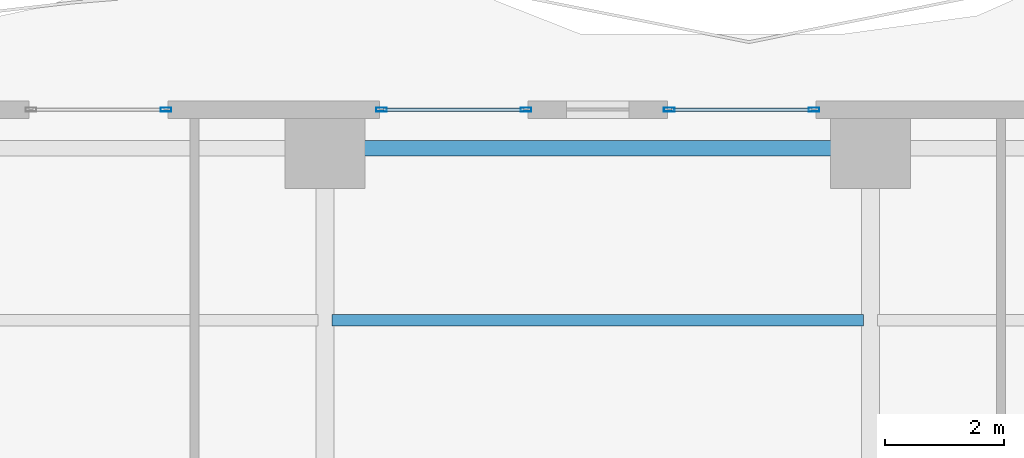
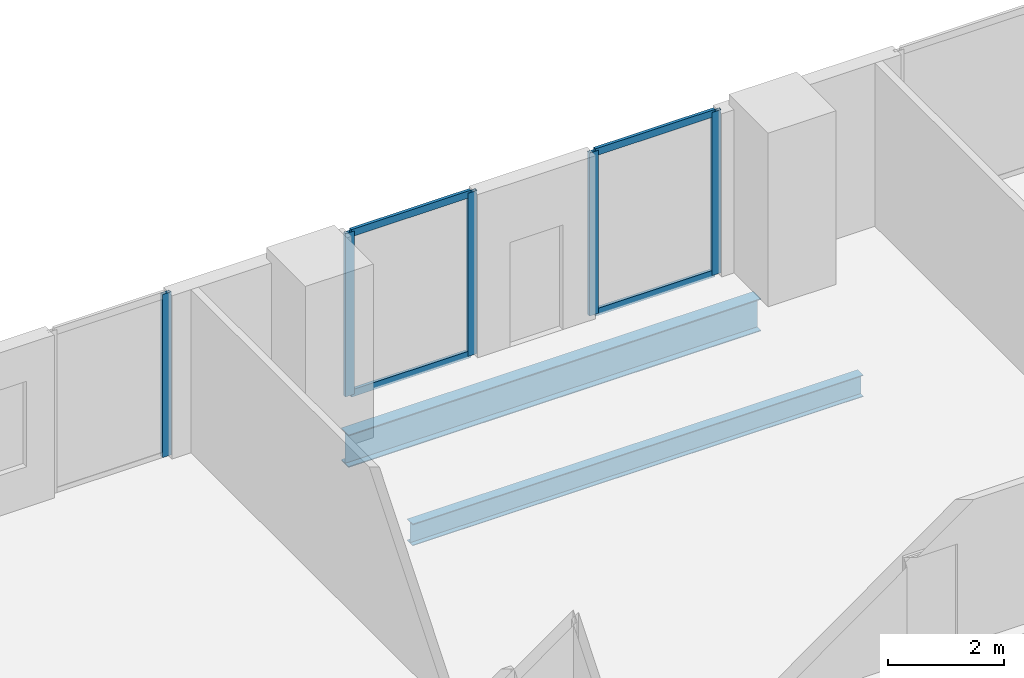
# One storey, part 17 of 28: 9 members, 2 beams, 3 elements without a shape of their own.
"""IFC4 building model written with IfcOpenShell, lengths in metres."""

from ifc_helpers import new_model, si_unit, direction, frame, origin, origin_2d, place, context, subcontext, project, spatial, hollow_rectangle, i_section, extrude, material, layer, layer_set, material_profile, profile_set, type_object, element, aggregate, save


model = new_model("IFC4")

# Units and contexts
model_context = context("Model", 3, precision=1e-05, world=origin(), true_north=direction((0.0, 1.0)))
body_context = subcontext(model_context, "Body", "Model", "MODEL_VIEW")
ifc_project = project(units=[si_unit("LENGTHUNIT", "METRE"), si_unit("AREAUNIT", "SQUARE_METRE"), si_unit("VOLUMEUNIT", "CUBIC_METRE"), si_unit("PLANEANGLEUNIT", "RADIAN"), si_unit("MASSUNIT", "GRAM", prefix="KILO")], contexts=[model_context])

# Site, building, storey
site_placement = place(None, origin())
site = spatial("IfcSite", under=ifc_project, at=site_placement, CompositionType="ELEMENT")
building_placement = place(site_placement, origin())
building = spatial("IfcBuilding", under=site, at=building_placement, Name="Zuhayl Quay Hotel", CompositionType="ELEMENT")
storey_placement = place(building_placement, frame((0.0, 0.0, 146.75)))
storey = spatial("IfcBuildingStorey", under=building, at=storey_placement, Name="L37", CompositionType="ELEMENT", Elevation=146.75)

# Beams
ifc_material_1 = material(Name="Steel ASTM A992 Grade 50", Category="steel")
ifc_material_profile_1 = material_profile(ifc_material_1, i_section(OverallWidth=0.25390625, OverallDepth=0.68310546875, WebThickness=0.012451171875, FlangeThickness=0.018798828125, at=origin_2d()), Name="W27X94")
ifc_profile_set_1 = profile_set([ifc_material_profile_1], Name="Steel ASTM A992 Grade 50")
beam_type_1 = type_object("IfcBeamType", Name="BM_B2_W27X94", PredefinedType="BEAM", material=ifc_profile_set_1)
beam_1_placement = place(storey_placement, frame((4.10009765625, 27.75, -0.5615234375), z_axis=(-1.0, 0.0, 0.0), x_axis=(0.0, -1.0, 0.0)))
element("IfcBeam", 1, at=beam_1_placement, inside=storey, type_object=beam_type_1, Name="L37 Floor Beam RG_L37_08", PredefinedType="BEAM", context=body_context, shape_type="SweptSolid", body=[
    extrude(i_section(OverallWidth=0.25390625, OverallDepth=0.68310546875, WebThickness=0.012451171875, FlangeThickness=0.018798828125, at=origin_2d()), origin(), (0.0, 0.0, 1.0), 8.2001953125),
])
ifc_material_profile_2 = material_profile(ifc_material_1, i_section(OverallWidth=0.18994140625, OverallDepth=0.45703125, WebThickness=0.009033203125, FlangeThickness=0.014404296875, at=origin_2d()), Name="W18X50")
ifc_profile_set_2 = profile_set([ifc_material_profile_2], Name="Steel ASTM A992 Grade 50")
beam_type_2 = type_object("IfcBeamType", Name="BM_J2_W18X50", PredefinedType="JOIST", material=ifc_profile_set_2)
beam_2_placement = place(storey_placement, frame((-4.48095703125, 24.85009765625, -0.448486328125), z_axis=(1.0, 0.0, 0.0), x_axis=(0.0, 1.0, 0.0)))
element("IfcBeam", 2, at=beam_2_placement, inside=storey, type_object=beam_type_2, Name="L37 Floor Beam FJ_L37_4_2", PredefinedType="JOIST", context=body_context, shape_type="SweptSolid", body=[
    extrude(i_section(OverallWidth=0.18994140625, OverallDepth=0.45703125, WebThickness=0.009033203125, FlangeThickness=0.014404296875, at=origin_2d()), origin(), (0.0, 0.0, 1.0), 8.9619140625),
])

# Curtain wall, member
ifc_material_2 = material(Name="Anodised Aluminium 6063-T6", Category="aluminium")
ifc_layer = layer(ifc_material_2, 0.179931640625, Name="Anodised Aluminium 6063-T6", Category="aluminium")
ifc_layer_set = layer_set([ifc_layer], Name="Anodised Aluminium 6063-T6")
curtain_wall_type = type_object("IfcCurtainWallType", Name="CW_SYS_Z2", PredefinedType="USERDEFINED", material=ifc_layer_set)
curtain_wall_1_placement = place(storey_placement, origin())
curtain_wall_1 = element("IfcCurtainWall", 3, at=curtain_wall_1_placement, inside=storey, type_object=curtain_wall_type, Name="L37 Curtain Wall ENV_L37_N_CW2", ObjectType="UNITISED CURTAIN WALL", PredefinedType="USERDEFINED")
ifc_material_3 = material(Name="Black-anodised aluminium 6063-T6", Category="aluminium")
ifc_material_profile_3 = material_profile(ifc_material_3, hollow_rectangle(XDim=0.06494140625, YDim=0.179931640625, WallThickness=0.00341796875, at=origin_2d()), Name="ALU180X65")
ifc_profile_set_3 = profile_set([ifc_material_profile_3], Name="Black-anodised aluminium 6063-T6")
member_type_1 = type_object("IfcMemberType", Name="MB_CW_MUL_180", PredefinedType="MULLION", material=ifc_profile_set_3)
member_1_placement = place(storey_placement, frame((-7.282470703125, 28.39990234375, 0.0), z_axis=(0.0, 0.0, 1.0), x_axis=(0.0, 1.0, 0.0)))
member_1 = element("IfcMember", 4, at=member_1_placement, type_object=member_type_1, Name="CW-Z2 mullion 2", PredefinedType="MULLION", context=body_context, shape_type="SweptSolid", body=[
    extrude(hollow_rectangle(XDim=0.06494140625, YDim=0.179931640625, WallThickness=0.00341796875, at=origin_2d()), origin(), (0.0, 0.0, 1.0), 3.429931640625),
])
aggregate(curtain_wall_1, [member_1])

# Curtain wall, members
curtain_wall_2_placement = place(storey_placement, origin())
curtain_wall_2 = element("IfcCurtainWall", 5, at=curtain_wall_2_placement, inside=storey, type_object=curtain_wall_type, Name="L37 Curtain Wall ENV_L37_N_CW3", ObjectType="UNITISED CURTAIN WALL", PredefinedType="USERDEFINED")
member_2_placement = place(storey_placement, frame((-3.6474609375, 28.39990234375, 0.0), z_axis=(0.0, 0.0, 1.0), x_axis=(0.0, 1.0, 0.0)))
member_2 = element("IfcMember", 6, at=member_2_placement, type_object=member_type_1, Name="CW-Z2 mullion 1", PredefinedType="MULLION", context=body_context, shape_type="SweptSolid", body=[
    extrude(hollow_rectangle(XDim=0.06494140625, YDim=0.179931640625, WallThickness=0.00341796875, at=origin_2d()), origin(), (0.0, 0.0, 1.0), 3.429931640625),
])
member_3_placement = place(storey_placement, frame((-1.20751953125, 28.39990234375, 0.0), z_axis=(0.0, 0.0, 1.0), x_axis=(0.0, 1.0, 0.0)))
member_3 = element("IfcMember", 7, at=member_3_placement, type_object=member_type_1, Name="CW-Z2 mullion 2", PredefinedType="MULLION", context=body_context, shape_type="SweptSolid", body=[
    extrude(hollow_rectangle(XDim=0.06494140625, YDim=0.179931640625, WallThickness=0.00341796875, at=origin_2d()), origin(), (0.0, 0.0, 1.0), 3.429931640625),
])

curtain_wall_3_placement = place(storey_placement, origin())
curtain_wall_3 = element("IfcCurtainWall", 8, at=curtain_wall_3_placement, inside=storey, type_object=curtain_wall_type, Name="L37 Curtain Wall ENV_L37_N_CW4", ObjectType="UNITISED CURTAIN WALL", PredefinedType="USERDEFINED")
member_4_placement = place(storey_placement, frame((1.20751953125, 28.39990234375, 0.0), z_axis=(0.0, 0.0, 1.0), x_axis=(0.0, 1.0, 0.0)))
member_4 = element("IfcMember", 9, at=member_4_placement, type_object=member_type_1, Name="CW-Z2 mullion 1", PredefinedType="MULLION", context=body_context, shape_type="SweptSolid", body=[
    extrude(hollow_rectangle(XDim=0.06494140625, YDim=0.179931640625, WallThickness=0.00341796875, at=origin_2d()), origin(), (0.0, 0.0, 1.0), 3.429931640625),
])
member_5_placement = place(storey_placement, frame((3.6474609375, 28.39990234375, 0.0), z_axis=(0.0, 0.0, 1.0), x_axis=(0.0, 1.0, 0.0)))
member_5 = element("IfcMember", 10, at=member_5_placement, type_object=member_type_1, Name="CW-Z2 mullion 2", PredefinedType="MULLION", context=body_context, shape_type="SweptSolid", body=[
    extrude(hollow_rectangle(XDim=0.06494140625, YDim=0.179931640625, WallThickness=0.00341796875, at=origin_2d()), origin(), (0.0, 0.0, 1.0), 3.429931640625),
])

# Member
ifc_material_profile_4 = material_profile(ifc_material_3, hollow_rectangle(XDim=0.06005859375, YDim=0.14990234375, WallThickness=0.00341796875, at=origin_2d()), Name="ALU150X60")
ifc_profile_set_4 = profile_set([ifc_material_profile_4], Name="Black-anodised aluminium 6063-T6")
member_type_2 = type_object("IfcMemberType", Name="MB_CW_TRN_150", PredefinedType="USERDEFINED", material=ifc_profile_set_4)
member_6_placement = place(storey_placement, frame((-3.614990234375, 28.39990234375, 0.030029296875), z_axis=(1.0, 0.0, 0.0), x_axis=(0.0, 1.0, 0.0)))
member_6 = element("IfcMember", 11, at=member_6_placement, type_object=member_type_2, Name="CW-Z2 transom 1.1", ObjectType="TRANSOM", PredefinedType="USERDEFINED", context=body_context, shape_type="SweptSolid", body=[
    extrude(hollow_rectangle(XDim=0.06005859375, YDim=0.14990234375, WallThickness=0.00341796875, at=origin_2d()), origin(), (0.0, 0.0, 1.0), 2.375),
])

member_7_placement = place(storey_placement, frame((-3.614990234375, 28.39990234375, 3.39990234375), z_axis=(1.0, 0.0, 0.0), x_axis=(0.0, 1.0, 0.0)))
member_7 = element("IfcMember", 12, at=member_7_placement, type_object=member_type_2, Name="CW-Z2 transom 1.2", ObjectType="TRANSOM", PredefinedType="USERDEFINED", context=body_context, shape_type="SweptSolid", body=[
    extrude(hollow_rectangle(XDim=0.06005859375, YDim=0.14990234375, WallThickness=0.00341796875, at=origin_2d()), origin(), (0.0, 0.0, 1.0), 2.375),
])

aggregate(curtain_wall_2, [member_2, member_3, member_6, member_7])

member_8_placement = place(storey_placement, frame((1.239990234375, 28.39990234375, 0.030029296875), z_axis=(1.0, 0.0, 0.0), x_axis=(0.0, 1.0, 0.0)))
member_8 = element("IfcMember", 13, at=member_8_placement, type_object=member_type_2, Name="CW-Z2 transom 1.1", ObjectType="TRANSOM", PredefinedType="USERDEFINED", context=body_context, shape_type="SweptSolid", body=[
    extrude(hollow_rectangle(XDim=0.06005859375, YDim=0.14990234375, WallThickness=0.00341796875, at=origin_2d()), origin(), (0.0, 0.0, 1.0), 2.375),
])

member_9_placement = place(storey_placement, frame((1.239990234375, 28.39990234375, 3.39990234375), z_axis=(1.0, 0.0, 0.0), x_axis=(0.0, 1.0, 0.0)))
member_9 = element("IfcMember", 14, at=member_9_placement, type_object=member_type_2, Name="CW-Z2 transom 1.2", ObjectType="TRANSOM", PredefinedType="USERDEFINED", context=body_context, shape_type="SweptSolid", body=[
    extrude(hollow_rectangle(XDim=0.06005859375, YDim=0.14990234375, WallThickness=0.00341796875, at=origin_2d()), origin(), (0.0, 0.0, 1.0), 2.375),
])

aggregate(curtain_wall_3, [member_4, member_5, member_8, member_9])

save(model, "model.ifc")
